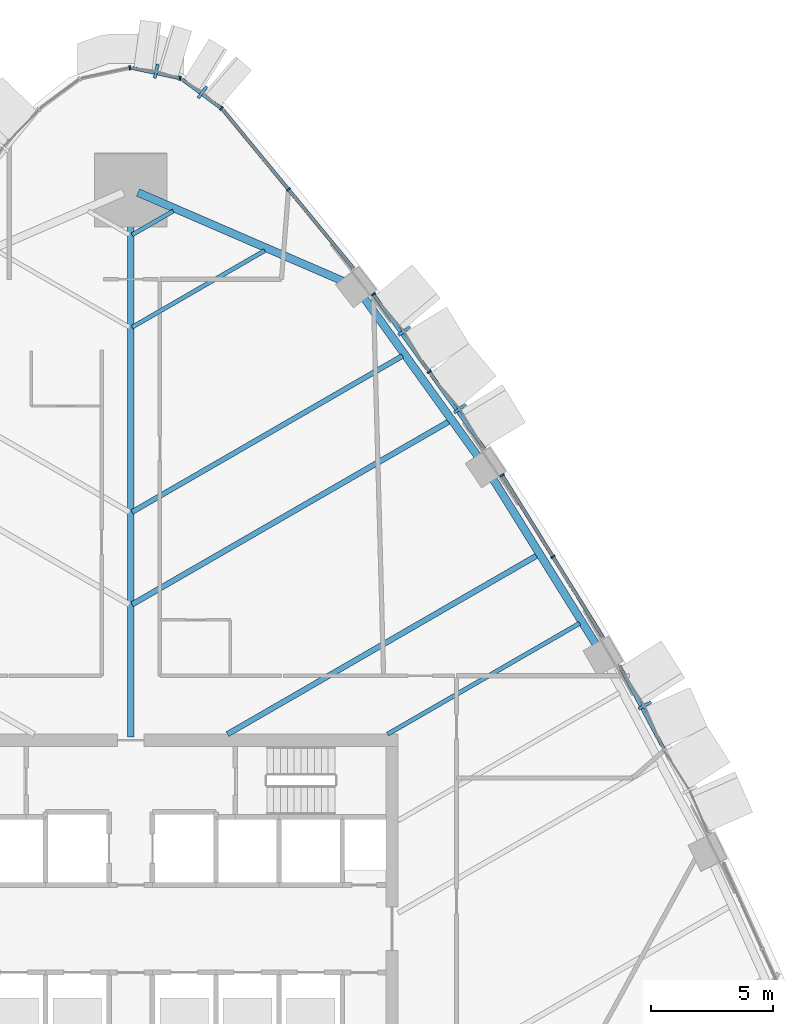
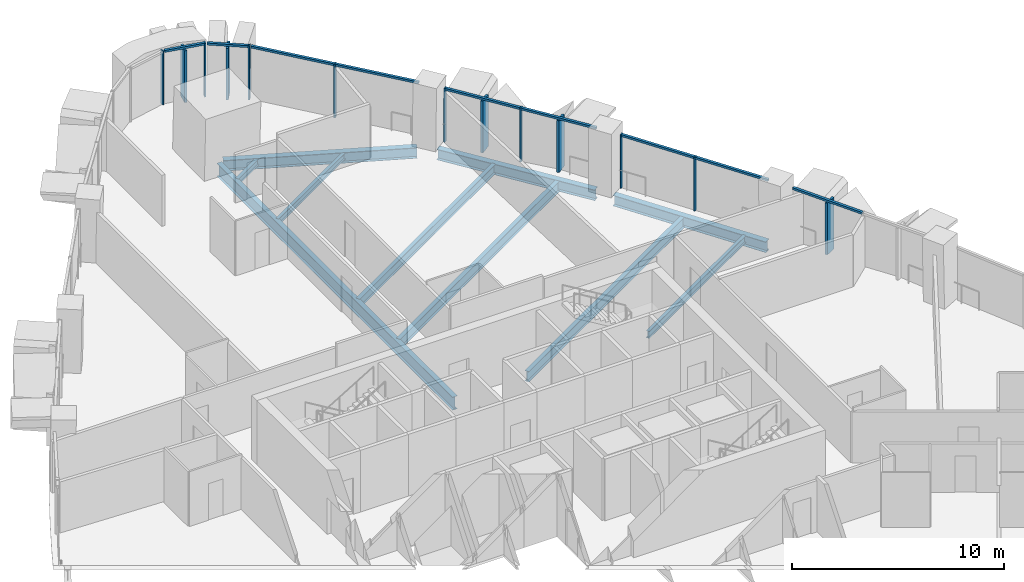
# One storey, part 7 of 19: 22 members, 10 beams, 7 elements without a shape of their own.
"""IFC4 building model written with IfcOpenShell, lengths in metres."""

from ifc_helpers import new_model, si_unit, direction, frame, origin, origin_2d, place, context, subcontext, project, spatial, rectangle, i_section, extrude, material, layer, layer_set, material_profile, profile_set, type_object, element, aggregate, save


model = new_model("IFC4")

# Units and contexts
model_context = context("Model", 3, precision=1e-05, world=origin(), true_north=direction((0.0, 1.0)))
body_context = subcontext(model_context, "Body", "Model", "MODEL_VIEW")
ifc_project = project(units=[si_unit("LENGTHUNIT", "METRE"), si_unit("AREAUNIT", "SQUARE_METRE"), si_unit("VOLUMEUNIT", "CUBIC_METRE"), si_unit("PLANEANGLEUNIT", "RADIAN"), si_unit("MASSUNIT", "GRAM", prefix="KILO")], contexts=[model_context])

# Site, building, storey
site_placement = place(None, origin())
site = spatial("IfcSite", under=ifc_project, at=site_placement, CompositionType="ELEMENT")
building_placement = place(site_placement, origin())
building = spatial("IfcBuilding", under=site, at=building_placement, Name="Sierra Prisma Convention Tower", CompositionType="ELEMENT")
storey_placement = place(building_placement, frame((0.0, 0.0, 77.60009765625)))
storey = spatial("IfcBuildingStorey", under=building, at=storey_placement, Name="L15", CompositionType="ELEMENT", Elevation=77.60009765625)

# Curtain wall, member
ifc_material_1 = material(Name="Aluminium and glass curtain wall", Category="aluminium")
ifc_layer_1 = layer(ifc_material_1, 0.179931640625)
ifc_layer_set_1 = layer_set([ifc_layer_1], Name="CW-2 Faceted crystal curtain wall")
curtain_wall_type_1 = type_object("IfcCurtainWallType", Name="CW-2 Faceted crystal curtain wall", PredefinedType="NOTDEFINED", material=ifc_layer_set_1)
curtain_wall_1_placement = place(storey_placement, origin())
curtain_wall_1 = element("IfcCurtainWall", 1, at=curtain_wall_1_placement, inside=storey, type_object=curtain_wall_type_1, Name="CW-2 NE3 L15", PredefinedType="NOTDEFINED")
ifc_material_2 = material(Name="Aluminium 6063-T6 bronze anodised", Category="aluminium")
ifc_material_profile_1 = material_profile(ifc_material_2, rectangle(XDim=0.1201171875, YDim=0.60009765625, at=origin_2d()), Name="ALU RIDGE BLADE 120x600")
ifc_profile_set_1 = profile_set([ifc_material_profile_1], Name="Aluminium 6063-T6 bronze anodised")
member_type_1 = type_object("IfcMemberType", Name="CW hip bronze", PredefinedType="MULLION", material=ifc_profile_set_1)
member_1_placement = place(storey_placement, frame((21.147216796875, 9.1796875, 0.0), z_axis=(0.0, 0.0, 1.0), x_axis=(-0.470903985064, 0.88218446872, 0.0)))
member_1 = element("IfcMember", 2, at=member_1_placement, type_object=member_type_1, Name="CW-2 ridge NE3.2", PredefinedType="MULLION", context=body_context, shape_type="SweptSolid", body=[
    extrude(rectangle(XDim=0.1201171875, YDim=0.60009765625, at=origin_2d()), origin(), (0.0, 0.0, 1.0), 2.97998046875),
])

# Curtain wall, members
curtain_wall_2_placement = place(storey_placement, origin())
curtain_wall_2 = element("IfcCurtainWall", 3, at=curtain_wall_2_placement, inside=storey, type_object=curtain_wall_type_1, Name="CW-2 NE5 L15", PredefinedType="NOTDEFINED")
member_2_placement = place(storey_placement, frame((13.547607421875, 21.39306640625, 0.0), z_axis=(0.0, 0.0, 1.0), x_axis=(-0.583401166916, 0.812184140723, 0.0)))
member_2 = element("IfcMember", 4, at=member_2_placement, type_object=member_type_1, Name="CW-2 ridge NE5.1", PredefinedType="MULLION", context=body_context, shape_type="SweptSolid", body=[
    extrude(rectangle(XDim=0.1201171875, YDim=0.60009765625, at=origin_2d()), origin(), (0.0, 0.0, 1.0), 2.97998046875),
])
member_3_placement = place(storey_placement, frame((11.253173828125, 24.58740234375, 0.0), z_axis=(0.0, 0.0, 1.0), x_axis=(-0.583401166916, 0.812184140723, 0.0)))
member_3 = element("IfcMember", 5, at=member_3_placement, type_object=member_type_1, Name="CW-2 ridge NE5.2", PredefinedType="MULLION", context=body_context, shape_type="SweptSolid", body=[
    extrude(rectangle(XDim=0.1201171875, YDim=0.60009765625, at=origin_2d()), origin(), (0.0, 0.0, 1.0), 2.97998046875),
])

# Curtain wall, member
curtain_wall_3_placement = place(storey_placement, origin())
curtain_wall_3 = element("IfcCurtainWall", 6, at=curtain_wall_3_placement, inside=storey, type_object=curtain_wall_type_1, Name="CW-2 N1 L15", PredefinedType="NOTDEFINED")
member_4_placement = place(storey_placement, frame((2.954833984375, 34.41015625, 0.0), z_axis=(0.0, 0.0, 1.0), x_axis=(-0.804282034313, 0.594247767586, 0.0)))
member_4 = element("IfcMember", 7, at=member_4_placement, type_object=member_type_1, Name="CW-2 ridge N1.1", PredefinedType="MULLION", context=body_context, shape_type="SweptSolid", body=[
    extrude(rectangle(XDim=0.1201171875, YDim=0.60009765625, at=origin_2d()), origin(), (0.0, 0.0, 1.0), 2.97998046875),
])

curtain_wall_4_placement = place(storey_placement, origin())
curtain_wall_4 = element("IfcCurtainWall", 8, at=curtain_wall_4_placement, inside=storey, type_object=curtain_wall_type_1, Name="CW-2 N2 L15", PredefinedType="NOTDEFINED")
member_5_placement = place(storey_placement, frame((1.046875, 35.27197265625, 0.0), z_axis=(0.0, 0.0, 1.0), x_axis=(-0.977588884653, 0.210523092803, 0.0)))
member_5 = element("IfcMember", 9, at=member_5_placement, type_object=member_type_1, Name="CW-2 ridge N2.1", PredefinedType="MULLION", context=body_context, shape_type="SweptSolid", body=[
    extrude(rectangle(XDim=0.1201171875, YDim=0.60009765625, at=origin_2d()), origin(), (0.0, 0.0, 1.0), 2.97998046875),
])

# Curtain wall, members
ifc_material_3 = material(Name="Aluminium and glass curtain wall", Category="aluminium")
ifc_layer_2 = layer(ifc_material_3, 0.179931640625)
ifc_layer_set_2 = layer_set([ifc_layer_2], Name="CW-1 Plain shaft curtain wall")
curtain_wall_type_2 = type_object("IfcCurtainWallType", Name="CW-1 Plain shaft curtain wall", PredefinedType="NOTDEFINED", material=ifc_layer_set_2)
curtain_wall_5_placement = place(storey_placement, origin())
curtain_wall_5 = element("IfcCurtainWall", 10, at=curtain_wall_5_placement, inside=storey, type_object=curtain_wall_type_2, Name="CW-1 NE4 L15", PredefinedType="NOTDEFINED")
ifc_material_4 = material(Name="Aluminium 6063-T6 bronze anodised", Category="aluminium")
ifc_material_profile_2 = material_profile(ifc_material_4, rectangle(XDim=0.179931640625, YDim=0.070068359375, at=origin_2d()), Name="ALU MULLION 70x180")
ifc_profile_set_2 = profile_set([ifc_material_profile_2], Name="Aluminium 6063-T6 bronze anodised")
member_type_2 = type_object("IfcMemberType", Name="CW mullion bronze", PredefinedType="MULLION", material=ifc_profile_set_2)
member_6_placement = place(storey_placement, frame((17.364990234375, 15.297119140625, 0.0), z_axis=(0.0, 0.0, 1.0), x_axis=(-0.849049556949, -0.528313211878, 0.0)))
member_6 = element("IfcMember", 11, at=member_6_placement, type_object=member_type_2, Name="CW-1 mullion NE4.2", PredefinedType="MULLION", context=body_context, shape_type="SweptSolid", body=[
    extrude(rectangle(XDim=0.179931640625, YDim=0.070068359375, at=origin_2d()), origin(), (0.0, 0.0, 1.0), 3.099853515625),
])
member_7_placement = place(storey_placement, frame((15.277587890625, 18.652099609375, 0.0), z_axis=(0.0, 0.0, 1.0), x_axis=(-0.849049556949, -0.528313211878, 0.0)))
member_7 = element("IfcMember", 12, at=member_7_placement, type_object=member_type_2, Name="CW-1 mullion NE4.3", PredefinedType="MULLION", context=body_context, shape_type="SweptSolid", body=[
    extrude(rectangle(XDim=0.179931640625, YDim=0.070068359375, at=origin_2d()), origin(), (0.0, 0.0, 1.0), 3.099853515625),
])

# Member
member_8_placement = place(storey_placement, frame((12.27685546875, 22.901611328125, 0.0), z_axis=(0.0, 0.0, 1.0), x_axis=(-0.812184140723, -0.583401166916, 0.0)))
member_8 = element("IfcMember", 13, at=member_8_placement, type_object=member_type_2, Name="CW-1 mullion NE5.2", PredefinedType="MULLION", context=body_context, shape_type="SweptSolid", body=[
    extrude(rectangle(XDim=0.179931640625, YDim=0.070068359375, at=origin_2d()), origin(), (0.0, 0.0, 1.0), 3.099853515625),
])

member_9_placement = place(storey_placement, frame((9.982421875, 26.095703125, 0.0), z_axis=(0.0, 0.0, 1.0), x_axis=(-0.812184140723, -0.583401166916, 0.0)))
member_9 = element("IfcMember", 14, at=member_9_placement, type_object=member_type_2, Name="CW-1 mullion NE5.3", PredefinedType="MULLION", context=body_context, shape_type="SweptSolid", body=[
    extrude(rectangle(XDim=0.179931640625, YDim=0.070068359375, at=origin_2d()), origin(), (0.0, 0.0, 1.0), 3.099853515625),
])

# Curtain wall, member
curtain_wall_6_placement = place(storey_placement, origin())
curtain_wall_6 = element("IfcCurtainWall", 15, at=curtain_wall_6_placement, inside=storey, type_object=curtain_wall_type_2, Name="CW-1 NE6 L15", PredefinedType="NOTDEFINED")
member_10_placement = place(storey_placement, frame((6.482666015625, 30.413330078125, 0.0), z_axis=(0.0, 0.0, 1.0), x_axis=(-0.771750197178, -0.635925807902, 0.0)))
member_10 = element("IfcMember", 16, at=member_10_placement, type_object=member_type_2, Name="CW-1 mullion NE6.2", PredefinedType="MULLION", context=body_context, shape_type="SweptSolid", body=[
    extrude(rectangle(XDim=0.179931640625, YDim=0.070068359375, at=origin_2d()), origin(), (0.0, 0.0, 1.0), 3.099853515625),
])

# Member
member_11_placement = place(storey_placement, frame((3.728515625, 33.7421875, 0.0), z_axis=(0.0, 0.0, 1.0), x_axis=(-0.594247767586, -0.804282034313, 0.0)))
member_11 = element("IfcMember", 17, at=member_11_placement, type_object=member_type_2, Name="CW-1 mullion N1.1", PredefinedType="MULLION", context=body_context, shape_type="SweptSolid", body=[
    extrude(rectangle(XDim=0.179931640625, YDim=0.070068359375, at=origin_2d()), origin(), (0.0, 0.0, 1.0), 3.099853515625),
])

member_12_placement = place(storey_placement, frame((2.02685546875, 34.981689453125, 0.0), z_axis=(0.0, 0.0, 1.0), x_axis=(-0.210523092803, -0.977588884653, 0.0)))
member_12 = element("IfcMember", 18, at=member_12_placement, type_object=member_type_2, Name="CW-1 mullion N2.1", PredefinedType="MULLION", context=body_context, shape_type="SweptSolid", body=[
    extrude(rectangle(XDim=0.179931640625, YDim=0.070068359375, at=origin_2d()), origin(), (0.0, 0.0, 1.0), 3.099853515625),
])

# Curtain wall, member
curtain_wall_7_placement = place(storey_placement, origin())
curtain_wall_7 = element("IfcCurtainWall", 19, at=curtain_wall_7_placement, inside=storey, type_object=curtain_wall_type_2, Name="CW-1 N3 L15", PredefinedType="NOTDEFINED")
member_13_placement = place(storey_placement, frame((-0.0341796875, 35.41064453125, 0.0), z_axis=(0.0, 0.0, 1.0), x_axis=(0.210523092803, -0.977588884653, 0.0)))
member_13 = element("IfcMember", 20, at=member_13_placement, type_object=member_type_2, Name="CW-1 mullion N3.1", PredefinedType="MULLION", context=body_context, shape_type="SweptSolid", body=[
    extrude(rectangle(XDim=0.179931640625, YDim=0.070068359375, at=origin_2d()), origin(), (0.0, 0.0, 1.0), 3.099853515625),
])
aggregate(curtain_wall_7, [member_13])

# Member
ifc_material_5 = material(Name="Aluminium 6063-T6 bronze anodised", Category="aluminium")
ifc_material_profile_3 = material_profile(ifc_material_5, rectangle(XDim=0.139892578125, YDim=0.1201171875, at=origin_2d()), Name="ALU TRANSOM 120x140")
ifc_profile_set_3 = profile_set([ifc_material_profile_3], Name="Aluminium 6063-T6 bronze anodised")
member_type_3 = type_object("IfcMemberType", Name="CW transom bronze", PredefinedType="USERDEFINED", material=ifc_profile_set_3)
member_14_placement = place(storey_placement, frame((21.922607421875, 7.404296875, 3.039794921875), z_axis=(-0.47091952156, 0.88217617527, 0.0), x_axis=(-0.88217617527, -0.47091952156, 0.0)))
member_14 = element("IfcMember", 21, at=member_14_placement, type_object=member_type_3, Name="CW-1 transom NE3.2", ObjectType="TRANSOM", PredefinedType="USERDEFINED", context=body_context, shape_type="SweptSolid", body=[
    extrude(rectangle(XDim=0.139892578125, YDim=0.1201171875, at=origin_2d()), origin(), (0.0, 0.0, 1.0), 3.86279296875),
])

aggregate(curtain_wall_1, [member_14, member_1])

member_15_placement = place(storey_placement, frame((19.43408203125, 11.971923828125, 3.039794921875), z_axis=(-0.528312971274, 0.849049706662, 0.0), x_axis=(-0.849049706662, -0.528312971274, 0.0)))
member_15 = element("IfcMember", 22, at=member_15_placement, type_object=member_type_3, Name="CW-1 transom NE4.1", ObjectType="TRANSOM", PredefinedType="USERDEFINED", context=body_context, shape_type="SweptSolid", body=[
    extrude(rectangle(XDim=0.139892578125, YDim=0.1201171875, at=origin_2d()), origin(), (0.0, 0.0, 1.0), 3.88134765625),
])

member_16_placement = place(storey_placement, frame((17.3466796875, 15.326904296875, 3.039794921875), z_axis=(-0.528358314068, 0.849021490868, 0.0), x_axis=(-0.849021490868, -0.528358314068, 0.0)))
member_16 = element("IfcMember", 23, at=member_16_placement, type_object=member_type_3, Name="CW-1 transom NE4.2", ObjectType="TRANSOM", PredefinedType="USERDEFINED", context=body_context, shape_type="SweptSolid", body=[
    extrude(rectangle(XDim=0.139892578125, YDim=0.1201171875, at=origin_2d()), origin(), (0.0, 0.0, 1.0), 3.88134765625),
])

aggregate(curtain_wall_5, [member_6, member_7, member_15, member_16])

member_17_placement = place(storey_placement, frame((14.55078125, 19.73583984375, 3.039794921875), z_axis=(-0.583388570551, 0.812193188687, 0.0), x_axis=(-0.812193188687, -0.583388570551, 0.0)))
member_17 = element("IfcMember", 24, at=member_17_placement, type_object=member_type_3, Name="CW-1 transom NE5.1", ObjectType="TRANSOM", PredefinedType="USERDEFINED", context=body_context, shape_type="SweptSolid", body=[
    extrude(rectangle(XDim=0.139892578125, YDim=0.1201171875, at=origin_2d()), origin(), (0.0, 0.0, 1.0), 3.862548828125),
])

member_18_placement = place(storey_placement, frame((12.256591796875, 22.929931640625, 3.039794921875), z_axis=(-0.583430262374, 0.812163240332, 0.0), x_axis=(-0.812163240332, -0.583430262374, 0.0)))
member_18 = element("IfcMember", 25, at=member_18_placement, type_object=member_type_3, Name="CW-1 transom NE5.2", ObjectType="TRANSOM", PredefinedType="USERDEFINED", context=body_context, shape_type="SweptSolid", body=[
    extrude(rectangle(XDim=0.139892578125, YDim=0.1201171875, at=origin_2d()), origin(), (0.0, 0.0, 1.0), 3.86279296875),
])

aggregate(curtain_wall_2, [member_8, member_9, member_17, member_2, member_18, member_3])

member_19_placement = place(storey_placement, frame((9.1640625, 27.1591796875, 3.039794921875), z_axis=(-0.635936433633, 0.771741441403, 0.0), x_axis=(-0.771741441403, -0.635936433633, 0.0)))
member_19 = element("IfcMember", 26, at=member_19_placement, type_object=member_type_3, Name="CW-1 transom NE6.1", ObjectType="TRANSOM", PredefinedType="USERDEFINED", context=body_context, shape_type="SweptSolid", body=[
    extrude(rectangle(XDim=0.139892578125, YDim=0.1201171875, at=origin_2d()), origin(), (0.0, 0.0, 1.0), 4.181396484375),
])

member_20_placement = place(storey_placement, frame((6.460205078125, 30.440185546875, 3.039794921875), z_axis=(-0.635907780067, 0.771765051846, 0.0), x_axis=(-0.771765051846, -0.635907780067, 0.0)))
member_20 = element("IfcMember", 27, at=member_20_placement, type_object=member_type_3, Name="CW-1 transom NE6.2", ObjectType="TRANSOM", PredefinedType="USERDEFINED", context=body_context, shape_type="SweptSolid", body=[
    extrude(rectangle(XDim=0.139892578125, YDim=0.1201171875, at=origin_2d()), origin(), (0.0, 0.0, 1.0), 4.181640625),
])

aggregate(curtain_wall_6, [member_10, member_19, member_20])

member_21_placement = place(storey_placement, frame((3.7001953125, 33.762939453125, 3.039794921875), z_axis=(-0.804266355886, 0.594268986899, 0.0), x_axis=(-0.594268986899, -0.804266355886, 0.0)))
member_21 = element("IfcMember", 28, at=member_21_placement, type_object=member_type_3, Name="CW-1 transom N1.1", ObjectType="TRANSOM", PredefinedType="USERDEFINED", context=body_context, shape_type="SweptSolid", body=[
    extrude(rectangle(XDim=0.139892578125, YDim=0.1201171875, at=origin_2d()), origin(), (0.0, 0.0, 1.0), 1.96826171875),
])

aggregate(curtain_wall_3, [member_11, member_21, member_4])

member_22_placement = place(storey_placement, frame((1.99267578125, 34.989013671875, 3.039794921875), z_axis=(-0.977598666882, 0.210477662738, 0.0), x_axis=(-0.210477662738, -0.977598666882, 0.0)))
member_22 = element("IfcMember", 29, at=member_22_placement, type_object=member_type_3, Name="CW-1 transom N2.1", ObjectType="TRANSOM", PredefinedType="USERDEFINED", context=body_context, shape_type="SweptSolid", body=[
    extrude(rectangle(XDim=0.139892578125, YDim=0.1201171875, at=origin_2d()), origin(), (0.0, 0.0, 1.0), 1.968505859375),
])

aggregate(curtain_wall_4, [member_12, member_22, member_5])

# Beams
ifc_material_6 = material(Name="Steel ASTM A992 Gr 50", Category="steel")
ifc_material_profile_4 = material_profile(ifc_material_6, i_section(OverallWidth=0.172119140625, OverallDepth=0.35791015625, WebThickness=0.0078125, FlangeThickness=0.01318359375, at=origin_2d()), Name="W360x57")
ifc_profile_set_4 = profile_set([ifc_material_profile_4], Name="Steel ASTM A992 Gr 50")
beam_type_1 = type_object("IfcBeamType", Name="Floor joist W360x57", PredefinedType="JOIST", material=ifc_profile_set_4)
beam_1_placement = place(storey_placement, frame((5.514892578125, 27.89306640625, -0.3291015625), z_axis=(-0.866016691215, -0.50001509031, 0.0), x_axis=(0.50001509031, -0.866016691215, 0.0)))
element("IfcBeam", 30, at=beam_1_placement, inside=storey, type_object=beam_type_1, Name="Floor joist L15 NE15", PredefinedType="JOIST", context=body_context, shape_type="SweptSolid", body=[
    extrude(i_section(OverallWidth=0.172119140625, OverallDepth=0.35791015625, WebThickness=0.0078125, FlangeThickness=0.01318359375, at=origin_2d()), origin(), (0.0, 0.0, 1.0), 6.306884765625),
])
beam_2_placement = place(storey_placement, frame((1.750244140625, 29.520751953125, -0.3291015625), z_axis=(-0.866011328839, -0.500024377727, 0.0), x_axis=(0.500024377727, -0.866011328839, 0.0)))
element("IfcBeam", 31, at=beam_2_placement, inside=storey, type_object=beam_type_1, Name="Floor joist L15 NE16", PredefinedType="JOIST", context=body_context, shape_type="SweptSolid", body=[
    extrude(i_section(OverallWidth=0.172119140625, OverallDepth=0.35791015625, WebThickness=0.0078125, FlangeThickness=0.01318359375, at=origin_2d()), origin(), (0.0, 0.0, 1.0), 1.9599609375),
])
ifc_material_7 = material(Name="Steel ASTM A992 Gr 50", Category="steel")
ifc_material_profile_5 = material_profile(ifc_material_7, i_section(OverallWidth=0.177978515625, OverallDepth=0.406982421875, WebThickness=0.0078125, FlangeThickness=0.0126953125, at=origin_2d()), Name="W410x60")
ifc_profile_set_5 = profile_set([ifc_material_profile_5], Name="Steel ASTM A992 Gr 50")
beam_type_2 = type_object("IfcBeamType", Name="Floor joist W410x60", PredefinedType="JOIST", material=ifc_profile_set_5)
beam_3_placement = place(storey_placement, frame((18.464599609375, 12.561279296875, -0.353515625), z_axis=(-0.866026037796, -0.499998901858, 0.0), x_axis=(0.499998901858, -0.866026037796, 0.0)))
element("IfcBeam", 32, at=beam_3_placement, inside=storey, type_object=beam_type_2, Name="Floor joist L15 NE09", PredefinedType="JOIST", context=body_context, shape_type="SweptSolid", body=[
    extrude(i_section(OverallWidth=0.177978515625, OverallDepth=0.406982421875, WebThickness=0.0078125, FlangeThickness=0.0126953125, at=origin_2d()), origin(), (0.0, 0.0, 1.0), 9.12255859375),
])
ifc_material_8 = material(Name="Steel ASTM A992 Gr 50", Category="steel")
ifc_material_profile_6 = material_profile(ifc_material_8, i_section(OverallWidth=0.208984375, OverallDepth=0.532958984375, WebThickness=0.01025390625, FlangeThickness=0.015625, at=origin_2d()), Name="W530x92")
ifc_profile_set_6 = profile_set([ifc_material_profile_6], Name="Steel ASTM A992 Gr 50")
beam_type_3 = type_object("IfcBeamType", Name="Floor joist W530x92", PredefinedType="JOIST", material=ifc_profile_set_6)
beam_4_placement = place(storey_placement, frame((11.174560546875, 23.557861328125, -0.41650390625), z_axis=(-0.86602222757, -0.500005501324, 0.0), x_axis=(0.500005501324, -0.86602222757, 0.0)))
element("IfcBeam", 33, at=beam_4_placement, inside=storey, type_object=beam_type_3, Name="Floor joist L15 NE13", PredefinedType="JOIST", context=body_context, shape_type="SweptSolid", body=[
    extrude(i_section(OverallWidth=0.208984375, OverallDepth=0.532958984375, WebThickness=0.01025390625, FlangeThickness=0.015625, at=origin_2d()), origin(), (0.0, 0.0, 1.0), 12.842041015625),
])
ifc_material_9 = material(Name="Steel ASTM A992 Gr 50", Category="steel")
ifc_material_profile_7 = material_profile(ifc_material_9, i_section(OverallWidth=0.22802734375, OverallDepth=0.60302734375, WebThickness=0.010498046875, FlangeThickness=0.014892578125, at=origin_2d()), Name="W610x101")
ifc_profile_set_7 = profile_set([ifc_material_profile_7], Name="Steel ASTM A992 Gr 50")
beam_type_4 = type_object("IfcBeamType", Name="Floor joist W610x101", PredefinedType="JOIST", material=ifc_profile_set_7)
beam_5_placement = place(storey_placement, frame((16.72412109375, 15.357666015625, -0.45166015625), z_axis=(-0.866026170332, -0.499998672298, 0.0), x_axis=(0.499998672298, -0.866026170332, 0.0)))
element("IfcBeam", 34, at=beam_5_placement, inside=storey, type_object=beam_type_4, Name="Floor joist L15 NE10", PredefinedType="JOIST", context=body_context, shape_type="SweptSolid", body=[
    extrude(i_section(OverallWidth=0.22802734375, OverallDepth=0.60302734375, WebThickness=0.010498046875, FlangeThickness=0.014892578125, at=origin_2d()), origin(), (0.0, 0.0, 1.0), 14.71533203125),
])
beam_6_placement = place(storey_placement, frame((13.104736328125, 20.870849609375, -0.45166015625), z_axis=(-0.866026423641, -0.499998233552, 0.0), x_axis=(0.499998233552, -0.866026423641, 0.0)))
element("IfcBeam", 35, at=beam_6_placement, inside=storey, type_object=beam_type_4, Name="Floor joist L15 NE12", PredefinedType="JOIST", context=body_context, shape_type="SweptSolid", body=[
    extrude(i_section(OverallWidth=0.22802734375, OverallDepth=0.60302734375, WebThickness=0.010498046875, FlangeThickness=0.014892578125, at=origin_2d()), origin(), (0.0, 0.0, 1.0), 15.07080078125),
])
ifc_material_10 = material(Name="Steel ASTM A992 Gr 50", Category="steel")
ifc_material_profile_8 = material_profile(ifc_material_10, i_section(OverallWidth=0.264892578125, OverallDepth=0.7529296875, WebThickness=0.01318359375, FlangeThickness=0.01708984375, at=origin_2d()), Name="W760x147")
ifc_profile_set_8 = profile_set([ifc_material_profile_8], Name="Steel ASTM A992 Gr 50")
beam_type_5 = type_object("IfcBeamType", Name="Radial girder W760x147", PredefinedType="BEAM", material=ifc_profile_set_8)
beam_7_placement = place(storey_placement, frame((0.0, 30.11083984375, -0.526611328125), z_axis=(0.0, -1.0, 0.0), x_axis=(1.0, 0.0, 0.0)))
element("IfcBeam", 36, at=beam_7_placement, inside=storey, type_object=beam_type_5, Name="Radial girder L15 N", PredefinedType="BEAM", context=body_context, shape_type="SweptSolid", body=[
    extrude(i_section(OverallWidth=0.264892578125, OverallDepth=0.7529296875, WebThickness=0.01318359375, FlangeThickness=0.01708984375, at=origin_2d()), origin(), (0.0, 0.0, 1.0), 22.23095703125),
])
ifc_material_11 = material(Name="Steel ASTM A992 Gr 50", Category="steel")
ifc_material_profile_9 = material_profile(ifc_material_11, i_section(OverallWidth=0.324951171875, OverallDepth=0.615966796875, WebThickness=0.013916015625, FlangeThickness=0.021484375, at=origin_2d()), Name="W610x174")
ifc_profile_set_9 = profile_set([ifc_material_profile_9], Name="Steel ASTM A992 Gr 50")
beam_type_6 = type_object("IfcBeamType", Name="Spandrel beam W610x174", PredefinedType="BEAM", material=ifc_profile_set_9)
for number, where, z_axis, x_axis, name in (
    (37, (19.178466796875, 11.627197265625, -0.4580078125), (-0.528407074245, 0.848991144764, 0.0), (-0.848991144764, -0.528407074245, 0.0), "Spandrel L15-10"),
    (38, (14.322265625, 19.36962890625, -0.4580078125), (-0.583474906275, 0.812131167822, 0.0), (-0.812131167822, -0.583474906275, 0.0), "Spandrel L15-11"),
):
    element("IfcBeam", number, at=place(storey_placement, frame(where, z_axis=z_axis, x_axis=x_axis)), inside=storey, type_object=beam_type_6, Name=name, PredefinedType="BEAM", context=body_context, shape_type="SweptSolid", body=[
        extrude(i_section(OverallWidth=0.324951171875, OverallDepth=0.615966796875, WebThickness=0.013916015625, FlangeThickness=0.021484375, at=origin_2d()), origin(), (0.0, 0.0, 1.0), 8.1796875),
    ])
beam_8_placement = place(storey_placement, frame((8.749755859375, 26.627685546875, -0.4580078125), z_axis=(-0.917871397181, 0.396877938712, 0.0), x_axis=(-0.396877938712, -0.917871397181, 0.0)))
element("IfcBeam", 39, at=beam_8_placement, inside=storey, type_object=beam_type_6, Name="Spandrel L15-12", PredefinedType="BEAM", context=body_context, shape_type="SweptSolid", body=[
    extrude(i_section(OverallWidth=0.324951171875, OverallDepth=0.615966796875, WebThickness=0.013916015625, FlangeThickness=0.021484375, at=origin_2d()), origin(), (0.0, 0.0, 1.0), 9.205810546875),
])

save(model, "model.ifc")
